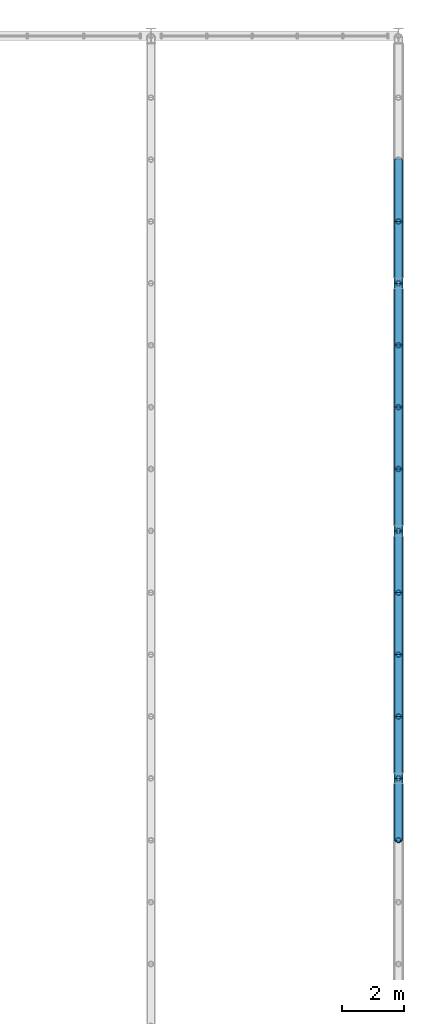
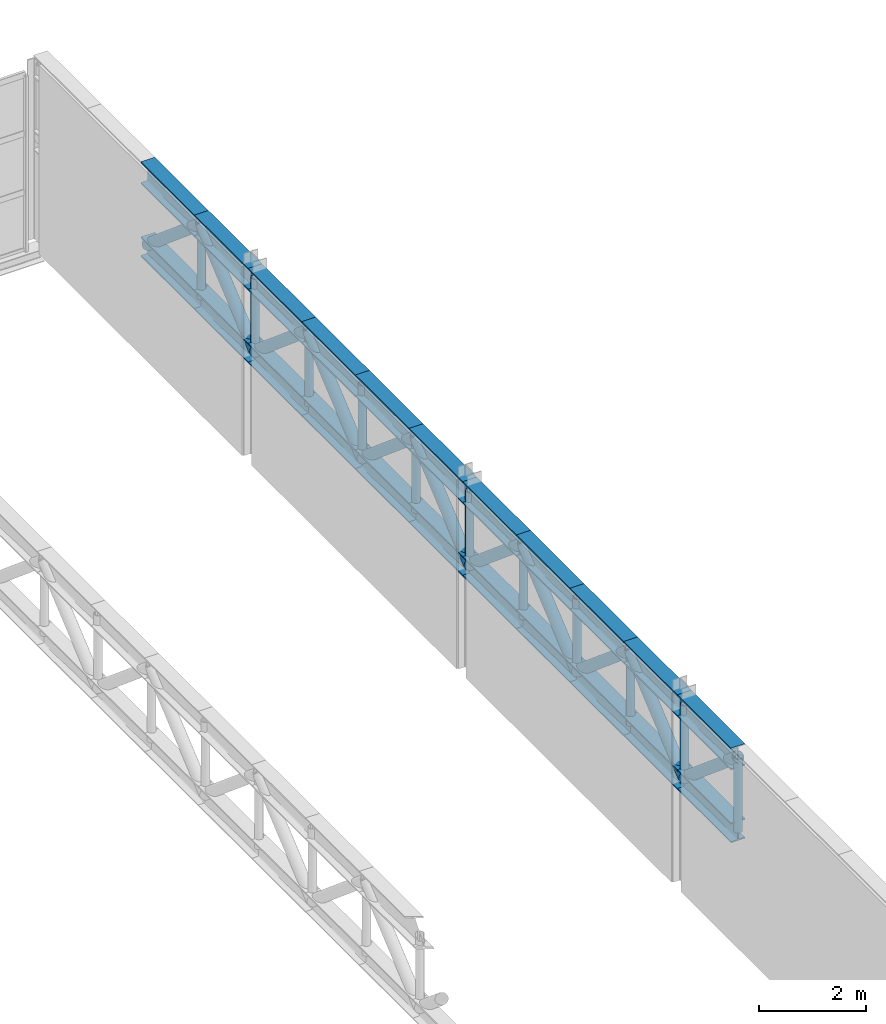
# One storey, part 42 of 67: 44 members.
"""IFC4 building model written with IfcOpenShell, lengths in metres."""

from ifc_helpers import new_model, si_unit, derived_unit, direction, frame, origin, origin_2d, place, context, subcontext, project, spatial, hollow_circle, i_section, extrude, material, material_profile, profile_set, type_object, element, save


model = new_model("IFC4")

# Units and contexts
model_context = context("Model", 3, precision=1e-05, world=origin(), true_north=direction((0.0, 1.0)))
body_context = subcontext(model_context, "Body", "Model", "MODEL_VIEW")
ifc_project = project(units=[si_unit("LENGTHUNIT", "METRE"), si_unit("AREAUNIT", "SQUARE_METRE"), si_unit("VOLUMEUNIT", "CUBIC_METRE"), si_unit("PLANEANGLEUNIT", "RADIAN"), si_unit("MASSUNIT", "GRAM", prefix="KILO"), derived_unit("THERMALTRANSMITTANCEUNIT", [(si_unit("POWERUNIT", "WATT"), 1), (si_unit("LENGTHUNIT", "METRE"), -2), (si_unit("THERMODYNAMICTEMPERATUREUNIT", "KELVIN"), -1)])], contexts=[model_context])

# Site, building, storey
site_placement = place(None, origin())
site = spatial("IfcSite", under=ifc_project, at=site_placement, CompositionType="ELEMENT")
building_placement = place(site_placement, origin())
building = spatial("IfcBuilding", under=site, at=building_placement, Name="Keldorne Ridge Multi-Sports Centre", CompositionType="ELEMENT")
storey_placement = place(building_placement, frame((0.0, 0.0, 14.0)))
storey = spatial("IfcBuildingStorey", under=building, at=storey_placement, Name="L03", CompositionType="ELEMENT", Elevation=14.0)

# Members
ifc_material = material(Name="Steel S355", Category="steel")
ifc_material_profile_1 = material_profile(ifc_material, i_section(OverallWidth=0.300048828125, OverallDepth=0.5, WebThickness=0.014404296875, FlangeThickness=0.028076171875, FilletRadius=0.027099609375, at=origin_2d()), Name="HEB 500")
ifc_profile_set_1 = profile_set([ifc_material_profile_1], Name="Steel S355")
member_type_1 = type_object("IfcMemberType", Name="MEM-TC-03", PredefinedType="CHORD", material=ifc_profile_set_1)
for number, where, z_axis, x_axis, name in (
    (1, (168.0, 28.0, 4.110107421875), (0.0, 1.0, 0.0), (-1.0, 0.0, 0.0), "Stacked Courts Warren TRUSS WT-L04-09 top chord 12"),
    (2, (168.0, 30.0, 4.110107421875), (0.0, 1.0, 0.0), (-1.0, 0.0, 0.0), "Stacked Courts Warren TRUSS WT-L04-09 top chord 13"),
    (3, (168.0, 32.0, 4.110107421875), (0.0, 1.0, 0.0), (-1.0, 0.0, 0.0), "Stacked Courts Warren TRUSS WT-L04-09 top chord 14"),
    (4, (168.0, 34.0, 4.110107421875), (0.0, 1.0, 0.0), (-1.0, 0.0, 0.0), "Stacked Courts Warren TRUSS WT-L04-09 top chord 15"),
    (5, (168.0, 36.0, 4.110107421875), (0.0, 1.0, 0.0), (-1.0, 0.0, 0.0), "Stacked Courts Warren TRUSS WT-L04-09 top chord 16"),
    (6, (168.0, 38.0, 4.110107421875), (0.0, 1.0, 0.0), (-1.0, 0.0, 0.0), "Stacked Courts Warren TRUSS WT-L04-09 top chord 17"),
    (7, (168.0, 40.0, 4.110107421875), (0.0, 1.0, 0.0), (-1.0, 0.0, 0.0), "Stacked Courts Warren TRUSS WT-L04-09 top chord 18"),
    (8, (168.0, 42.0, 4.110107421875), (0.0, 1.0, 0.0), (-1.0, 0.0, 0.0), "Stacked Courts Warren TRUSS WT-L04-09 top chord 19"),
    (9, (168.0, 44.0, 4.110107421875), (0.0, 1.0, 0.0), (-1.0, 0.0, 0.0), "Stacked Courts Warren TRUSS WT-L04-09 top chord 20"),
    (10, (168.0, 46.0, 4.110107421875), (0.0, 1.0, 0.0), (-1.0, 0.0, 0.0), "Stacked Courts Warren TRUSS WT-L04-09 top chord 21"),
    (11, (168.0, 48.0, 4.110107421875), (0.0, 1.0, 0.0), (-1.0, 0.0, 0.0), "Stacked Courts Warren TRUSS WT-L04-09 top chord 22"),
):
    element("IfcMember", number, at=place(storey_placement, frame(where, z_axis=z_axis, x_axis=x_axis)), inside=storey, type_object=member_type_1, Name=name, PredefinedType="CHORD", context=body_context, shape_type="SweptSolid", body=[
        extrude(i_section(OverallWidth=0.300048828125, OverallDepth=0.5, WebThickness=0.014404296875, FlangeThickness=0.028076171875, FilletRadius=0.027099609375, at=origin_2d()), origin(), (0.0, 0.0, 1.0), 2.0),
    ])
ifc_material_profile_2 = material_profile(ifc_material, i_section(OverallWidth=0.300048828125, OverallDepth=0.449951171875, WebThickness=0.013916015625, FlangeThickness=0.02587890625, FilletRadius=0.027099609375, at=origin_2d()), Name="HEB 450")
ifc_profile_set_2 = profile_set([ifc_material_profile_2], Name="Steel S355")
member_type_2 = type_object("IfcMemberType", Name="MEM-TC-04", PredefinedType="CHORD", material=ifc_profile_set_2)
for number, where, z_axis, x_axis, name in (
    (12, (168.0, 28.0, 2.429931640625), (0.0, 1.0, 0.0), (-1.0, 0.0, 0.0), "Stacked Courts Warren TRUSS WT-L04-09 bottom chord 12"),
    (13, (168.0, 30.0, 2.429931640625), (0.0, 1.0, 0.0), (-1.0, 0.0, 0.0), "Stacked Courts Warren TRUSS WT-L04-09 bottom chord 13"),
    (14, (168.0, 32.0, 2.429931640625), (0.0, 1.0, 0.0), (-1.0, 0.0, 0.0), "Stacked Courts Warren TRUSS WT-L04-09 bottom chord 14"),
    (15, (168.0, 34.0, 2.429931640625), (0.0, 1.0, 0.0), (-1.0, 0.0, 0.0), "Stacked Courts Warren TRUSS WT-L04-09 bottom chord 15"),
    (16, (168.0, 36.0, 2.429931640625), (0.0, 1.0, 0.0), (-1.0, 0.0, 0.0), "Stacked Courts Warren TRUSS WT-L04-09 bottom chord 16"),
    (17, (168.0, 38.0, 2.429931640625), (0.0, 1.0, 0.0), (-1.0, 0.0, 0.0), "Stacked Courts Warren TRUSS WT-L04-09 bottom chord 17"),
    (18, (168.0, 40.0, 2.429931640625), (0.0, 1.0, 0.0), (-1.0, 0.0, 0.0), "Stacked Courts Warren TRUSS WT-L04-09 bottom chord 18"),
    (19, (168.0, 42.0, 2.429931640625), (0.0, 1.0, 0.0), (-1.0, 0.0, 0.0), "Stacked Courts Warren TRUSS WT-L04-09 bottom chord 19"),
    (20, (168.0, 44.0, 2.429931640625), (0.0, 1.0, 0.0), (-1.0, 0.0, 0.0), "Stacked Courts Warren TRUSS WT-L04-09 bottom chord 20"),
    (21, (168.0, 46.0, 2.429931640625), (0.0, 1.0, 0.0), (-1.0, 0.0, 0.0), "Stacked Courts Warren TRUSS WT-L04-09 bottom chord 21"),
    (22, (168.0, 48.0, 2.429931640625), (0.0, 1.0, 0.0), (-1.0, 0.0, 0.0), "Stacked Courts Warren TRUSS WT-L04-09 bottom chord 22"),
):
    element("IfcMember", number, at=place(storey_placement, frame(where, z_axis=z_axis, x_axis=x_axis)), inside=storey, type_object=member_type_2, Name=name, PredefinedType="CHORD", context=body_context, shape_type="SweptSolid", body=[
        extrude(i_section(OverallWidth=0.300048828125, OverallDepth=0.449951171875, WebThickness=0.013916015625, FlangeThickness=0.02587890625, FilletRadius=0.027099609375, at=origin_2d()), origin(), (0.0, 0.0, 1.0), 2.0),
    ])
ifc_material_profile_3 = material_profile(ifc_material, hollow_circle(Radius=0.122314453125, WallThickness=0.012451171875, at=origin_2d()), Name="CHS 244.5x12.5")
ifc_profile_set_3 = profile_set([ifc_material_profile_3], Name="Steel S355")
member_type_3 = type_object("IfcMemberType", Name="MEM-TD-02", PredefinedType="BRACE", material=ifc_profile_set_3)
for number, where, z_axis, x_axis, name in (
    (23, (168.0, 28.0, 4.110107421875), (0.0, 0.765671721121, -0.643231541108), (-1.0, 0.0, 0.0), "Stacked Courts Warren TRUSS WT-L04-09 diagonal 12"),
    (24, (168.0, 30.0, 2.429931640625), (0.0, 0.765671721121, 0.643231541108), (-1.0, 0.0, 0.0), "Stacked Courts Warren TRUSS WT-L04-09 diagonal 13"),
    (25, (168.0, 32.0, 4.110107421875), (0.0, 0.765671721121, -0.643231541108), (-1.0, 0.0, 0.0), "Stacked Courts Warren TRUSS WT-L04-09 diagonal 14"),
    (26, (168.0, 34.0, 2.429931640625), (0.0, 0.765671721121, 0.643231541108), (-1.0, 0.0, 0.0), "Stacked Courts Warren TRUSS WT-L04-09 diagonal 15"),
    (27, (168.0, 36.0, 4.110107421875), (0.0, 0.765671721121, -0.643231541108), (-1.0, 0.0, 0.0), "Stacked Courts Warren TRUSS WT-L04-09 diagonal 16"),
    (28, (168.0, 38.0, 2.429931640625), (0.0, 0.765671721121, 0.643231541108), (-1.0, 0.0, 0.0), "Stacked Courts Warren TRUSS WT-L04-09 diagonal 17"),
    (29, (168.0, 40.0, 4.110107421875), (0.0, 0.765671721121, -0.643231541108), (-1.0, 0.0, 0.0), "Stacked Courts Warren TRUSS WT-L04-09 diagonal 18"),
    (30, (168.0, 42.0, 2.429931640625), (0.0, 0.765671721121, 0.643231541108), (-1.0, 0.0, 0.0), "Stacked Courts Warren TRUSS WT-L04-09 diagonal 19"),
    (31, (168.0, 44.0, 4.110107421875), (0.0, 0.765671721121, -0.643231541108), (-1.0, 0.0, 0.0), "Stacked Courts Warren TRUSS WT-L04-09 diagonal 20"),
    (32, (168.0, 46.0, 2.429931640625), (0.0, 0.765671721121, 0.643231541108), (-1.0, 0.0, 0.0), "Stacked Courts Warren TRUSS WT-L04-09 diagonal 21"),
    (33, (168.0, 48.0, 4.110107421875), (0.0, 0.765671721121, -0.643231541108), (-1.0, 0.0, 0.0), "Stacked Courts Warren TRUSS WT-L04-09 diagonal 22"),
):
    element("IfcMember", number, at=place(storey_placement, frame(where, z_axis=z_axis, x_axis=x_axis)), inside=storey, type_object=member_type_3, Name=name, PredefinedType="BRACE", context=body_context, shape_type="SweptSolid", body=[
        extrude(hollow_circle(Radius=0.122314453125, WallThickness=0.012451171875, at=origin_2d()), origin(), (0.0, 0.0, 1.0), 2.612060546875),
    ])
ifc_material_profile_4 = material_profile(ifc_material, hollow_circle(Radius=0.084228515625, WallThickness=0.010009765625, at=origin_2d()), Name="CHS 168.3x10")
ifc_profile_set_4 = profile_set([ifc_material_profile_4], Name="Steel S355")
member_type_4 = type_object("IfcMemberType", Name="MEM-TV-01", PredefinedType="STRUT", material=ifc_profile_set_4)
for number, where, z_axis, x_axis, name in (
    (34, (168.0, 28.0, 2.429931640625), (0.0, 0.0, 1.0), (1.0, 0.0, 0.0), "Stacked Courts Warren TRUSS WT-L04-09 post 12"),
    (35, (168.0, 30.0, 2.429931640625), (0.0, 0.0, 1.0), (1.0, 0.0, 0.0), "Stacked Courts Warren TRUSS WT-L04-09 post 13"),
    (36, (168.0, 32.0, 2.429931640625), (0.0, 0.0, 1.0), (1.0, 0.0, 0.0), "Stacked Courts Warren TRUSS WT-L04-09 post 14"),
    (37, (168.0, 34.0, 2.429931640625), (0.0, 0.0, 1.0), (1.0, 0.0, 0.0), "Stacked Courts Warren TRUSS WT-L04-09 post 15"),
    (38, (168.0, 36.0, 2.429931640625), (0.0, 0.0, 1.0), (1.0, 0.0, 0.0), "Stacked Courts Warren TRUSS WT-L04-09 post 16"),
    (39, (168.0, 38.0, 2.429931640625), (0.0, 0.0, 1.0), (1.0, 0.0, 0.0), "Stacked Courts Warren TRUSS WT-L04-09 post 17"),
    (40, (168.0, 40.0, 2.429931640625), (0.0, 0.0, 1.0), (1.0, 0.0, 0.0), "Stacked Courts Warren TRUSS WT-L04-09 post 18"),
    (41, (168.0, 42.0, 2.429931640625), (0.0, 0.0, 1.0), (1.0, 0.0, 0.0), "Stacked Courts Warren TRUSS WT-L04-09 post 19"),
    (42, (168.0, 44.0, 2.429931640625), (0.0, 0.0, 1.0), (1.0, 0.0, 0.0), "Stacked Courts Warren TRUSS WT-L04-09 post 20"),
    (43, (168.0, 46.0, 2.429931640625), (0.0, 0.0, 1.0), (1.0, 0.0, 0.0), "Stacked Courts Warren TRUSS WT-L04-09 post 21"),
    (44, (168.0, 48.0, 2.429931640625), (0.0, 0.0, 1.0), (1.0, 0.0, 0.0), "Stacked Courts Warren TRUSS WT-L04-09 post 22"),
):
    element("IfcMember", number, at=place(storey_placement, frame(where, z_axis=z_axis, x_axis=x_axis)), inside=storey, type_object=member_type_4, Name=name, PredefinedType="STRUT", context=body_context, shape_type="SweptSolid", body=[
        extrude(hollow_circle(Radius=0.084228515625, WallThickness=0.010009765625, at=origin_2d()), origin(), (0.0, 0.0, 1.0), 1.68017578125),
    ])

save(model, "model.ifc")
